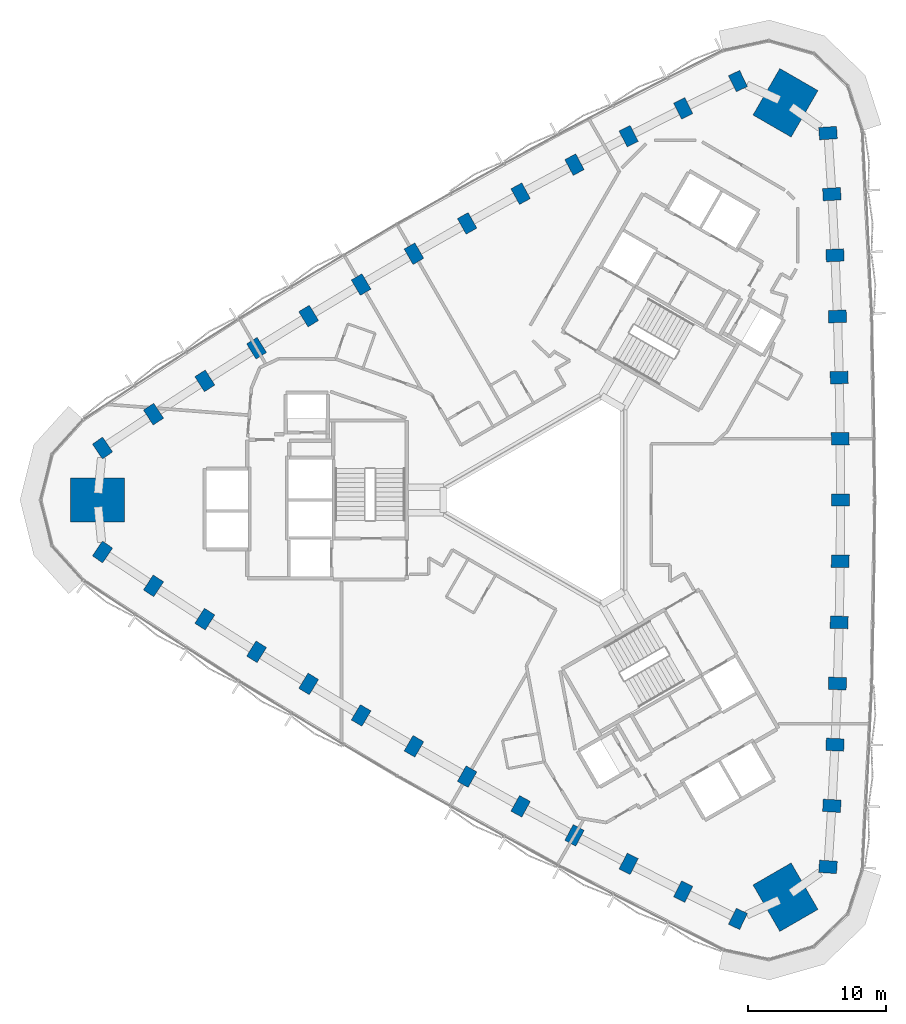
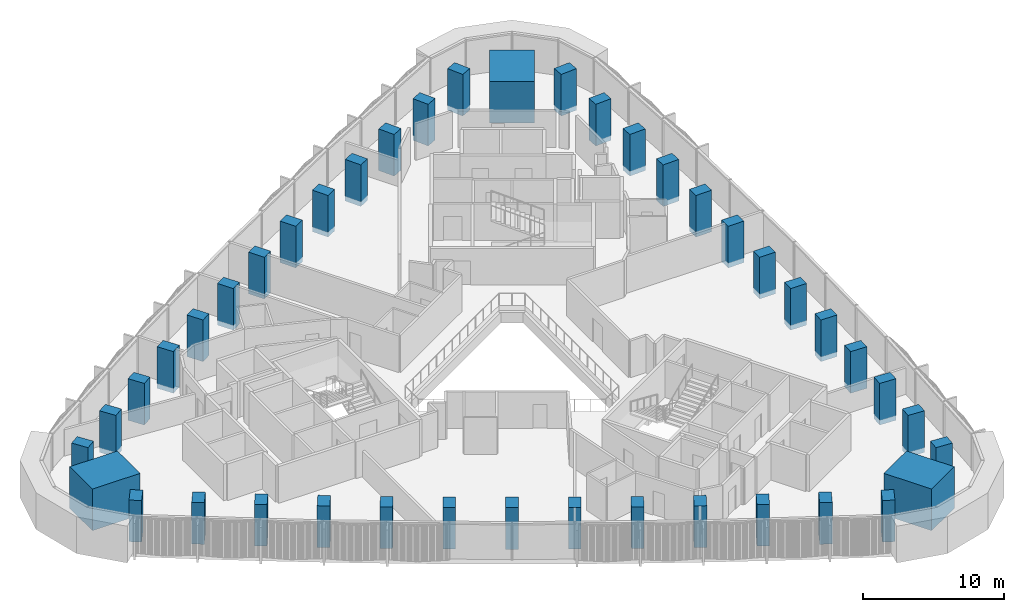
# One storey, part 1 of 15: 42 columns.
"""IFC4 building model written with IfcOpenShell, lengths in metres."""

import ifcopenshell
import ifcopenshell.guid

model = None  # the IFC model being written
_history = None  # IfcOwnerHistory: only IFC2X3 demands one
_inside = {}  # id of a spatial element -> (the spatial element, [elements in it])
_under = {}  # id of a project, library or spatial element -> (it, [spatial elements below it])
_declared = {}  # id of a project -> (the project, [libraries it declares])
_typed = {}  # id of a type object -> (the type object, [elements of that type])
_made_of = {}  # id of a material, layer set ... -> (it, [elements and type objects made of it])


def new_model(schema):
    """Start an empty IFC model of exactly this schema.

    Asked for "IFC4X3", IfcOpenShell would pick the latest addendum, in which some entities
    have other attributes; the version numbers below select the first issue.
    IFC2X3 requires an IfcOwnerHistory on every rooted entity: one is made here for all.
    """
    global model, _history
    if schema == "IFC4X3":
        model = ifcopenshell.file(schema_version=(4, 3, 0, 0))
    else:
        model = ifcopenshell.file(schema=schema)
    _inside.clear()
    _under.clear()
    _declared.clear()
    _typed.clear()
    _made_of.clear()
    _history = None
    if model.schema == "IFC2X3":
        org = make("IfcOrganization", Name="unknown")
        user = make(
            "IfcPersonAndOrganization",
            ThePerson=make("IfcPerson", FamilyName="unknown"),
            TheOrganization=org,
        )
        app = make(
            "IfcApplication",
            ApplicationDeveloper=org,
            Version="unknown",
            ApplicationFullName="unknown",
            ApplicationIdentifier="unknown",
        )
        _history = make(
            "IfcOwnerHistory",
            OwningUser=user,
            OwningApplication=app,
            ChangeAction="ADDED",
            CreationDate=0,
        )
    return model


def make(cls, **values):
    """One entity of the class cls with the attributes given. An attribute that is None is left unset."""
    return model.create_entity(
        cls, **{name: value for name, value in values.items() if value is not None}
    )


def rooted(cls, **values):
    """An entity with a GlobalId (a new one), such as an element, a storey or a relation."""
    return make(cls, GlobalId=ifcopenshell.guid.new(), OwnerHistory=_history, **values)


def si_unit(unit_type, name, prefix=None):
    """IfcSIUnit, for example si_unit("LENGTHUNIT", "METRE", prefix="MILLI")."""
    return make("IfcSIUnit", UnitType=unit_type, Prefix=prefix, Name=name)


def assignment(units):
    """IfcUnitAssignment: the units of a project."""
    return None if units is None else make("IfcUnitAssignment", Units=units)


def point(xyz):
    """IfcCartesianPoint."""
    return None if xyz is None else make("IfcCartesianPoint", Coordinates=xyz)


def direction(xyz):
    """IfcDirection."""
    return None if xyz is None else make("IfcDirection", DirectionRatios=xyz)


def frame(location, z_axis=None, x_axis=None):
    """IfcAxis2Placement3D, a coordinate frame: its origin and axes. An axis left out is left unset."""
    return make(
        "IfcAxis2Placement3D",
        Location=point(location),
        Axis=direction(z_axis),
        RefDirection=direction(x_axis),
    )


def frame_2d(location, x_axis=None):
    """IfcAxis2Placement2D, a coordinate frame in the plane: its origin and x axis."""
    return make(
        "IfcAxis2Placement2D", Location=point(location), RefDirection=direction(x_axis)
    )


def origin():
    """The frame at (0, 0, 0) with its axes left unset."""
    return frame((0.0, 0.0, 0.0))


def origin_2d():
    """The frame at (0, 0) in the plane with its x axis left unset."""
    return frame_2d((0.0, 0.0))


def place(relative_to, where):
    """IfcLocalPlacement: puts the frame where relative to a parent placement (None: the world)."""
    return make(
        "IfcLocalPlacement", PlacementRelTo=relative_to, RelativePlacement=where
    )


def context(
    kind, dimensions, precision=None, world=None, true_north=None, identifier=None
):
    """IfcGeometricRepresentationContext, for example the 3D "Model" context."""
    return make(
        "IfcGeometricRepresentationContext",
        ContextIdentifier=identifier,
        ContextType=kind,
        CoordinateSpaceDimension=dimensions,
        Precision=precision,
        WorldCoordinateSystem=world,
        TrueNorth=true_north,
    )


def subcontext(parent, identifier, kind, view, scale=None):
    """IfcGeometricRepresentationSubContext, for example "Body" below "Model"."""
    return make(
        "IfcGeometricRepresentationSubContext",
        ContextIdentifier=identifier,
        ContextType=kind,
        ParentContext=parent,
        TargetScale=scale,
        TargetView=view,
    )


def project(units=None, contexts=None):
    """IfcProject with its units and contexts."""
    return rooted(
        "IfcProject",
        Name="project",
        RepresentationContexts=contexts,
        UnitsInContext=assignment(units),
    )


def spatial(cls, under=None, at=None, **own):
    """A site, building, storey or space (cls), placed at a placement, below another one or the project."""
    s = rooted(cls, ObjectPlacement=at, **own)
    if under is not None:
        _under.setdefault(under.id(), (under, []))[1].append(s)
    return s


def profile(cls, at=None, kind="AREA", **sizes):
    """A parametric profile (cls). Its sizes go by their IFC names, for example OverallWidth=200.0."""
    return make(cls, ProfileType=kind, Position=at, **sizes)


def rectangle(**sizes):
    """IfcRectangleProfileDef."""
    return profile("IfcRectangleProfileDef", **sizes)


def extrude(swept, where, along, depth):
    """IfcExtrudedAreaSolid: the profile swept, set in the frame where, extruded along a direction by depth."""
    return make(
        "IfcExtrudedAreaSolid",
        SweptArea=swept,
        Position=where,
        ExtrudedDirection=direction(along),
        Depth=depth,
    )


def shape(context_of_items, identifier, shape_type, items):
    """IfcShapeRepresentation: the items that make up one representation, for example the "Body"."""
    return make(
        "IfcShapeRepresentation",
        ContextOfItems=context_of_items,
        RepresentationIdentifier=identifier,
        RepresentationType=shape_type,
        Items=items,
    )


def material(Name=None, Category=None):
    """IfcMaterial."""
    return make("IfcMaterial", Name=Name, Category=Category)


def material_profile(
    of_material, cross_section, Name=None, Category=None, Priority=None
):
    """IfcMaterialProfile: a cross section and its material."""
    return make(
        "IfcMaterialProfile",
        Name=Name,
        Material=of_material,
        Profile=cross_section,
        Priority=Priority,
        Category=Category,
    )


def profile_set(profiles, Name=None, composite=None):
    """IfcMaterialProfileSet."""
    return make(
        "IfcMaterialProfileSet",
        Name=Name,
        MaterialProfiles=profiles,
        CompositeProfile=composite,
    )


def made_of(thing, what):
    """Note that an element or type object is made of a material, layer set ...; save() writes the relation."""
    if what is not None:
        _made_of.setdefault(what.id(), (what, []))[1].append(thing)
    return thing


def type_object(cls, material=None, **own):
    """A type object (cls), such as IfcWallType, which elements share."""
    return made_of(rooted(cls, **own), material)


def element(
    cls,
    number,
    at=None,
    inside=None,
    cuts=None,
    type_object=None,
    material=None,
    context=None,
    identifier="Body",
    shape_type=None,
    held_by="IfcProductDefinitionShape",
    body=None,
    shapes=None,
    **own,
):
    """One element of the class cls, such as IfcWall. Its Tag is "e" and its number.

    at: its placement. inside: the storey or other place that contains it. cuts: it is an
    opening in that element (IfcRelVoidsElement). A single representation is given by context,
    identifier, shape_type and body (its items); several are given by shapes. held_by: the class
    of the entity that holds the representations. save() writes the other relations.
    """
    e = rooted(cls, Tag="e%d" % number, ObjectPlacement=at, **own)
    if body is not None:
        shapes = [shape(context, identifier, shape_type, body)]
    if shapes is not None:
        e.Representation = make(held_by, Representations=shapes)
    if inside is not None:
        _inside.setdefault(inside.id(), (inside, []))[1].append(e)
    if cuts is not None:
        rooted(
            "IfcRelVoidsElement", RelatingBuildingElement=cuts, RelatedOpeningElement=e
        )
    if type_object is not None:
        _typed.setdefault(type_object.id(), (type_object, []))[1].append(e)
    return made_of(e, material)


def aggregate(whole, parts):
    """IfcRelAggregates: a whole, such as a stair, and the parts it consists of."""
    return rooted("IfcRelAggregates", RelatingObject=whole, RelatedObjects=parts)


def save(model, path):
    """Write the relations noted so far, then the file.

    IfcRelAggregates (storeys below a building ...), IfcRelContainedInSpatialStructure (elements
    in a storey), IfcRelDefinesByType, IfcRelAssociatesMaterial and IfcRelDeclares: one each for
    every whole, place, type object, material and project.
    """
    for whole, parts in _under.values():
        aggregate(whole, parts)
    for where, things in _inside.values():
        rooted(
            "IfcRelContainedInSpatialStructure",
            RelatedElements=things,
            RelatingStructure=where,
        )
    for kind, things in _typed.values():
        rooted("IfcRelDefinesByType", RelatedObjects=things, RelatingType=kind)
    for what, things in _made_of.values():
        rooted("IfcRelAssociatesMaterial", RelatedObjects=things, RelatingMaterial=what)
    for by, libraries in _declared.values():
        rooted("IfcRelDeclares", RelatingContext=by, RelatedDefinitions=libraries)
    model.write(path)


model = new_model("IFC4")

# Units and contexts
model_context = context("Model", 3, precision=1e-05, world=origin(), true_north=direction((0.0, 1.0)))
body_context = subcontext(model_context, "Body", "Model", "MODEL_VIEW")
ifc_project = project(units=[si_unit("LENGTHUNIT", "METRE"), si_unit("AREAUNIT", "SQUARE_METRE"), si_unit("VOLUMEUNIT", "CUBIC_METRE"), si_unit("PLANEANGLEUNIT", "RADIAN"), si_unit("MASSUNIT", "GRAM", prefix="KILO")], contexts=[model_context])

# Site, building, storey
site_placement = place(None, origin())
site = spatial("IfcSite", under=ifc_project, at=site_placement, CompositionType="ELEMENT")
building_placement = place(site_placement, origin())
building = spatial("IfcBuilding", under=site, at=building_placement, Name="Tamra Quay Hotel Tower", CompositionType="ELEMENT")
storey_placement = place(building_placement, frame((0.0, 0.0, 108.199951171875)))
storey = spatial("IfcBuildingStorey", under=building, at=storey_placement, Name="L26", CompositionType="ELEMENT", Elevation=108.199951171875)

# Columns
ifc_material = material(Name="Concrete M70", Category="concrete")
ifc_material_profile_1 = material_profile(ifc_material, rectangle(XDim=1.300048828125, YDim=0.89990234375, at=origin_2d()), Name="COLUMN RC 900x1300 Z2")
ifc_profile_set_1 = profile_set([ifc_material_profile_1], Name="Concrete M70")
column_type_1 = type_object("IfcColumnType", Name="COLUMN RC 900x1300 Z2", PredefinedType="COLUMN", material=ifc_profile_set_1)
for number, where, z_axis, x_axis, name in (
    (1, (19.746337890625, -26.648681640625, -0.425048828125), (0.0, 0.0, 1.0), (-0.997682497858, 0.068041409955, 0.0), "COL-C2E01-L26"),
    (2, (20.02490234375, -22.212158203125, -0.425048828125), (0.0, 0.0, 1.0), (-0.998368034899, 0.057107502941, 0.0), "COL-C2E02-L26"),
    (3, (20.2529296875, -17.773193359375, -0.425048828125), (0.0, 0.0, 1.0), (-0.99895467426, 0.04571169187, 0.0), "COL-C2E03-L26"),
    (4, (20.430419921875, -13.331787109375, -0.425048828125), (0.0, 0.0, 1.0), (-0.999411600314, 0.034299462929, 0.0), "COL-C2E04-L26"),
    (5, (20.557373046875, -8.888916015625, -0.425048828125), (0.0, 0.0, 1.0), (-0.999738355025, 0.022874035338, 0.0), "COL-C2E05-L26"),
    (6, (20.633544921875, -4.44482421875, -0.425048828125), (0.0, 0.0, 1.0), (-0.999934576635, 0.01143863846, 0.0), "COL-C2E06-L26"),
    (7, (20.658935546875, 0.0, -0.425048828125), (0.0, 0.0, 1.0), (1.0, 0.0, 0.0), "COL-C2E07-L26"),
    (8, (20.633544921875, 4.44482421875, -0.425048828125), (0.0, 0.0, 1.0), (0.999934576635, 0.01143863846, 0.0), "COL-C2E08-L26"),
    (9, (20.557373046875, 8.888916015625, -0.425048828125), (0.0, 0.0, 1.0), (0.999738355025, 0.022874035338, 0.0), "COL-C2E09-L26"),
    (10, (20.430419921875, 13.331787109375, -0.425048828125), (0.0, 0.0, 1.0), (0.999411600314, 0.034299462929, 0.0), "COL-C2E10-L26"),
    (11, (20.2529296875, 17.773193359375, -0.425048828125), (0.0, 0.0, 1.0), (0.99895467426, 0.04571169187, 0.0), "COL-C2E11-L26"),
    (12, (20.02490234375, 22.212158203125, -0.425048828125), (0.0, 0.0, 1.0), (0.998368034899, 0.057107502941, 0.0), "COL-C2E12-L26"),
    (13, (19.746337890625, 26.648681640625, -0.425048828125), (0.0, 0.0, 1.0), (0.997682497858, 0.068041409955, 0.0), "COL-C2E13-L26"),
    (14, (13.205078125, 30.425048828125, -0.425048828125), (0.0, 0.0, 1.0), (-0.439915659398, 0.898039093033, 0.0), "COL-C2NW01-L26"),
    (15, (9.223876953125, 28.4482421875, -0.425048828125), (0.0, 0.0, 1.0), (-0.449727469156, 0.893165832019, 0.0), "COL-C2NW02-L26"),
    (16, (5.265625, 26.42626953125, -0.425048828125), (0.0, 0.0, 1.0), (-0.459889850721, 0.887975971074, 0.0), "COL-C2NW03-L26"),
    (17, (1.33056640625, 24.359375, -0.425048828125), (0.0, 0.0, 1.0), (-0.470001593924, 0.882665566174, 0.0), "COL-C2NW04-L26"),
    (18, (-2.580810546875, 22.247802734375, -0.425048828125), (0.0, 0.0, 1.0), (-0.480059681822, 0.877235830258, 0.0), "COL-C2NW05-L26"),
    (19, (-6.467529296875, 20.091552734375, -0.425048828125), (0.0, 0.0, 1.0), (-0.490061136827, 0.871688064718, 0.0), "COL-C2NW06-L26"),
    (20, (-10.32958984375, 17.89111328125, -0.425048828125), (0.0, 0.0, 1.0), (-0.5, 0.866025403784, 0.0), "COL-C2NW07-L26"),
    (21, (-14.166015625, 15.646728515625, -0.425048828125), (0.0, 0.0, 1.0), (-0.509873439808, 0.860249426259, 0.0), "COL-C2NW08-L26"),
    (22, (-17.976806640625, 13.35888671875, -0.425048828125), (0.0, 0.0, 1.0), (-0.519678673202, 0.85436179492, 0.0), "COL-C2NW09-L26"),
    (23, (-21.760986328125, 11.02734375, -0.425048828125), (0.0, 0.0, 1.0), (-0.52941000639, 0.848366103245, 0.0), "COL-C2NW10-L26"),
    (24, (-25.5185546875, 8.653076171875, -0.425048828125), (0.0, 0.0, 1.0), (-0.539064823539, 0.842264279204, 0.0), "COL-C2NW11-L26"),
    (25, (-29.248779296875, 6.23583984375, -0.425048828125), (0.0, 0.0, 1.0), (-0.548640565743, 0.836058329078, 0.0), "COL-C2NW12-L26"),
    (26, (-32.951416015625, 3.776611328125, -0.425048828125), (0.0, 0.0, 1.0), (-0.557766838459, 0.829997683078, 0.0), "COL-C2NW13-L26"),
    (27, (-32.951416015625, -3.776611328125, -0.425048828125), (0.0, 0.0, 1.0), (0.557766838459, 0.829997683078, 0.0), "COL-C2SW01-L26"),
    (28, (-29.248779296875, -6.23583984375, -0.425048828125), (0.0, 0.0, 1.0), (0.548640565743, 0.836058329078, 0.0), "COL-C2SW02-L26"),
    (29, (-25.5185546875, -8.653076171875, -0.425048828125), (0.0, 0.0, 1.0), (0.539064823539, 0.842264279204, 0.0), "COL-C2SW03-L26"),
    (30, (-21.760986328125, -11.02734375, -0.425048828125), (0.0, 0.0, 1.0), (0.52941000639, 0.848366103245, 0.0), "COL-C2SW04-L26"),
    (31, (-17.976806640625, -13.35888671875, -0.425048828125), (0.0, 0.0, 1.0), (0.519678673202, 0.85436179492, 0.0), "COL-C2SW05-L26"),
    (32, (-14.166015625, -15.646728515625, -0.425048828125), (0.0, 0.0, 1.0), (0.509873439808, 0.860249426259, 0.0), "COL-C2SW06-L26"),
    (33, (-10.32958984375, -17.89111328125, -0.425048828125), (0.0, 0.0, 1.0), (0.5, 0.866025403784, 0.0), "COL-C2SW07-L26"),
    (34, (-6.467529296875, -20.091552734375, -0.425048828125), (0.0, 0.0, 1.0), (0.490061136827, 0.871688064718, 0.0), "COL-C2SW08-L26"),
    (35, (-2.580810546875, -22.247802734375, -0.425048828125), (0.0, 0.0, 1.0), (0.480059681822, 0.877235830258, 0.0), "COL-C2SW09-L26"),
    (36, (1.33056640625, -24.359375, -0.425048828125), (0.0, 0.0, 1.0), (0.470001593924, 0.882665566174, 0.0), "COL-C2SW10-L26"),
    (37, (5.265625, -26.42626953125, -0.425048828125), (0.0, 0.0, 1.0), (0.459889850721, 0.887975971074, 0.0), "COL-C2SW11-L26"),
    (38, (9.223876953125, -28.4482421875, -0.425048828125), (0.0, 0.0, 1.0), (0.449727469156, 0.893165832019, 0.0), "COL-C2SW12-L26"),
    (39, (13.205078125, -30.425048828125, -0.425048828125), (0.0, 0.0, 1.0), (0.439915659398, 0.898039093033, 0.0), "COL-C2SW13-L26"),
):
    element("IfcColumn", number, at=place(storey_placement, frame(where, z_axis=z_axis, x_axis=x_axis)), inside=storey, type_object=column_type_1, Name=name, PredefinedType="COLUMN", context=body_context, shape_type="SweptSolid", body=[
        extrude(rectangle(XDim=1.300048828125, YDim=0.89990234375, at=origin_2d()), origin(), (0.0, 0.0, 1.0), 3.60009765625),
    ])
ifc_material_profile_2 = material_profile(ifc_material, rectangle(XDim=3.89990234375, YDim=3.199951171875, at=origin_2d()), Name="MEGA COLUMN RC 3200x3900 Z2")
ifc_profile_set_2 = profile_set([ifc_material_profile_2], Name="Concrete M70")
column_type_2 = type_object("IfcColumnType", Name="MEGA COLUMN RC 3200x3900 Z2", PredefinedType="COLUMN", material=ifc_profile_set_2)
for number, where, z_axis, x_axis, name in (
    (40, (16.65673828125, 28.8505859375, -0.425048828125), (0.0, 0.0, 1.0), (0.5, 0.866025403784, 0.0), "COL-M2NE-L26"),
    (41, (-33.313720703125, 0.0, -0.425048828125), (0.0, 0.0, 1.0), (1.0, 0.0, 0.0), "COL-M2W-L26"),
    (42, (16.65673828125, -28.8505859375, -0.425048828125), (0.0, 0.0, 1.0), (-0.5, 0.866025403784, 0.0), "COL-M2SE-L26"),
):
    element("IfcColumn", number, at=place(storey_placement, frame(where, z_axis=z_axis, x_axis=x_axis)), inside=storey, type_object=column_type_2, Name=name, PredefinedType="COLUMN", context=body_context, shape_type="SweptSolid", body=[
        extrude(rectangle(XDim=3.89990234375, YDim=3.199951171875, at=origin_2d()), origin(), (0.0, 0.0, 1.0), 3.60009765625),
    ])

save(model, "model.ifc")
